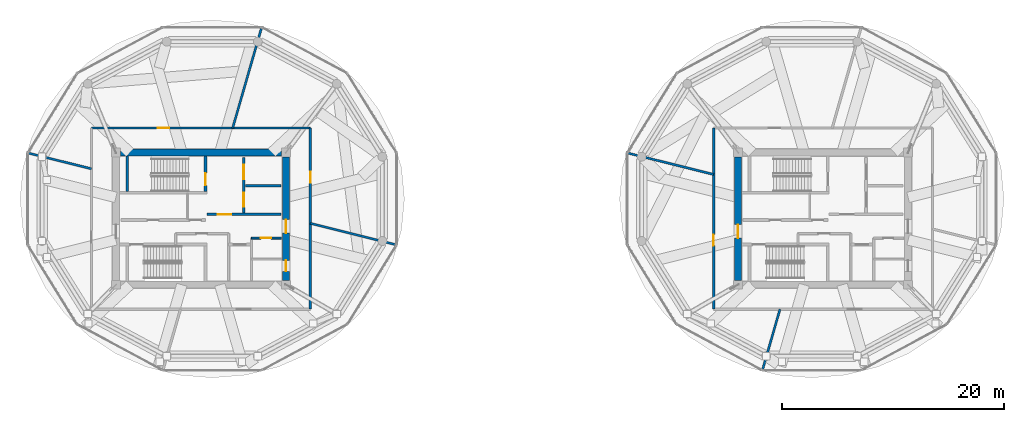
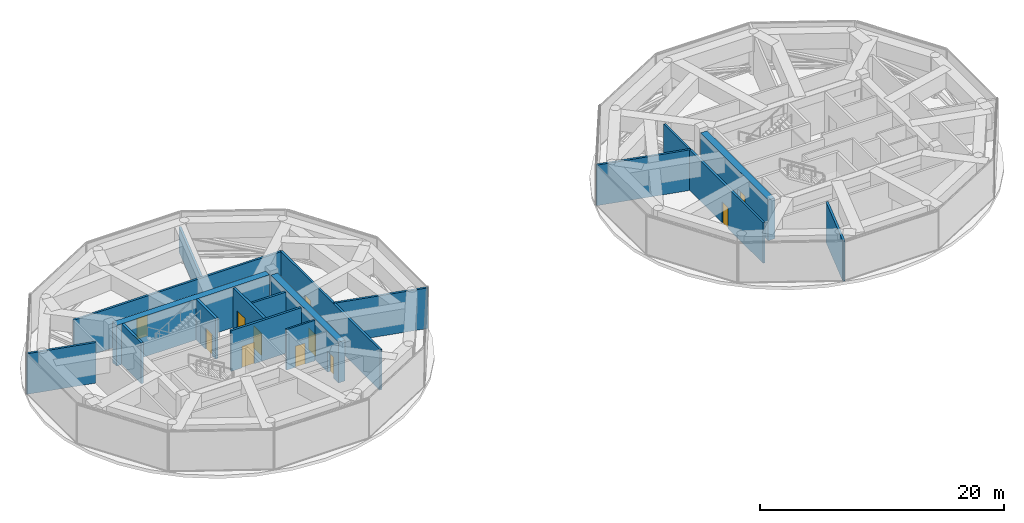
# One storey, part 14 of 20: 17 walls, 11 doors, 11 openings.
"""IFC4 building model written with IfcOpenShell, lengths in metres."""

from ifc_helpers import new_model, si_unit, direction, frame, frame_2d, origin, place, context, subcontext, project, spatial, rectangle, extrude, source, transform, mapped, material, layer, layer_set, type_object, type_shapes, element, fill, save


model = new_model("IFC4")

# Units and contexts
model_context = context("Model", 3, precision=1e-05, world=origin(), true_north=direction((0.0, 1.0)))
body_context = subcontext(model_context, "Body", "Model", "MODEL_VIEW")
ifc_project = project(units=[si_unit("LENGTHUNIT", "METRE"), si_unit("AREAUNIT", "SQUARE_METRE"), si_unit("VOLUMEUNIT", "CUBIC_METRE"), si_unit("PLANEANGLEUNIT", "RADIAN"), si_unit("MASSUNIT", "GRAM", prefix="KILO")], contexts=[model_context])

# Site, building, storey
site_placement = place(None, origin())
site = spatial("IfcSite", under=ifc_project, at=site_placement, CompositionType="ELEMENT")
building_placement = place(site_placement, origin())
building = spatial("IfcBuilding", under=site, at=building_placement, Name="Norrkilde Senior Care Towers", CompositionType="ELEMENT")
storey_placement = place(building_placement, frame((0.0, 0.0, 186.14990234375)))
storey = spatial("IfcBuildingStorey", under=building, at=storey_placement, Name="L58", CompositionType="ELEMENT", Elevation=186.14990234375)

# Wall
ifc_material_1 = material(Name="Concrete C50/60", Category="concrete")
ifc_layer_1 = layer(ifc_material_1, 0.6201171875)
ifc_layer_set_1 = layer_set([ifc_layer_1], Name="Concrete C50/60")
wall_type_1 = type_object("IfcWallType", Name="Core Shear Wall Z3 620", PredefinedType="SHEAR", material=ifc_layer_set_1)
shared_shape_1 = source(origin(), body_context, "Body", "SweptSolid", [
    extrude(rectangle(XDim=14.5, YDim=0.6201171875, at=frame_2d((7.25, 0.0))), origin(), (0.0, 0.0, 1.0), 4.080078125),
])
wall_1_placement = place(storey_placement, frame((-35.25, 5.949951171875, 0.0), z_axis=(0.0, 0.0, 1.0), x_axis=(1.0, 0.0, 0.0)))
element("IfcWall", 1, at=wall_1_placement, inside=storey, type_object=wall_type_1, Name="L58 Core W North Shear Wall", PredefinedType="SHEAR", context=body_context, shape_type="MappedRepresentation", body=[
    mapped(shared_shape_1, transform((0.0, 0.0, 0.0), x_axis=(1.0, 0.0, 0.0), y_axis=(0.0, 1.0, 0.0), z_axis=(0.0, 0.0, 1.0), scale=1.0)),
])

# Wall, openings, doors
shared_shape_2 = source(origin(), body_context, "Body", "SweptSolid", [
    extrude(rectangle(XDim=11.10009765625, YDim=0.6201171875, at=frame_2d((5.550048828125, 0.0))), origin(), (0.0, 0.0, 1.0), 4.080078125),
])
type_shapes(wall_type_1, [shared_shape_1, shared_shape_2])
wall_2_placement = place(storey_placement, frame((-20.35009765625, 5.550048828125, 0.0), z_axis=(0.0, 0.0, 1.0), x_axis=(0.0, -1.0, 0.0)))
wall_2 = element("IfcWall", 2, at=wall_2_placement, inside=storey, type_object=wall_type_1, Name="L58 Core W East Shear Wall", PredefinedType="SHEAR", context=body_context, shape_type="MappedRepresentation", body=[
    mapped(shared_shape_2, transform((0.0, 0.0, 0.0), x_axis=(1.0, 0.0, 0.0), y_axis=(0.0, 1.0, 0.0), z_axis=(0.0, 0.0, 1.0), scale=1.0)),
])
opening_1_placement = place(wall_2_placement, frame((5.64990234375, 0.0, 0.0)))
opening_1 = element("IfcOpeningElement", 3, at=opening_1_placement, cuts=wall_2, Name="Opening D-04", PredefinedType="OPENING", context=body_context, shape_type="SweptSolid", body=[
    extrude(rectangle(XDim=1.199951171875, YDim=2.14990234375, at=frame_2d((0.60009765625, 1.074951171875))), frame((0.0, 0.320068359375, 0.0), z_axis=(0.0, -1.0, 0.0), x_axis=(1.0, 0.0, 0.0)), (0.0, 0.0, 1.0), 0.64013671875),
])
opening_2_placement = place(wall_2_placement, frame((9.300048828125, 0.0, 0.0)))
opening_2 = element("IfcOpeningElement", 4, at=opening_2_placement, cuts=wall_2, Name="Opening D-10", PredefinedType="OPENING", context=body_context, shape_type="SweptSolid", body=[
    extrude(rectangle(XDim=1.0, YDim=2.10009765625, at=frame_2d((0.5, 1.050048828125))), frame((0.0, 0.320068359375, 0.0), z_axis=(0.0, -1.0, 0.0), x_axis=(1.0, 0.0, 0.0)), (0.0, 0.0, 1.0), 0.64013671875),
])
ifc_material_2 = material(Name="Galvanised Painted Steel", Category="steel")
door_type_1 = type_object("IfcDoorType", Name="Firefighting Lobby Fire Door 1200x2150", OperationType="NOTDEFINED", PredefinedType="DOOR", material=ifc_material_2)
shared_shape_3 = source(origin(), body_context, "Body", "SweptSolid", [
    extrude(rectangle(XDim=1.199951171875, YDim=2.14990234375, at=frame_2d((0.60009765625, 1.074951171875))), frame((0.0, 0.02490234375, 0.0), z_axis=(0.0, -1.0, 0.0), x_axis=(1.0, 0.0, 0.0)), (0.0, 0.0, 1.0), 0.050048828125),
])
type_shapes(door_type_1, [shared_shape_3])
door_1_placement = place(opening_1_placement, frame((1.199951171875, 0.0, 0.0), z_axis=(0.0, 0.0, 1.0), x_axis=(-1.0, 0.0, 0.0)))
door_1 = element("IfcDoor", 5, at=door_1_placement, inside=storey, type_object=door_type_1, Name="L58 Core W East Portal Door", OperationType="SINGLE_SWING_RIGHT", OverallHeight=2.14990234375, OverallWidth=1.199951171875, PredefinedType="DOOR", context=body_context, shape_type="MappedRepresentation", body=[
    mapped(shared_shape_3, transform((0.0, 0.0, 0.0), x_axis=(1.0, 0.0, 0.0), y_axis=(0.0, 1.0, 0.0), z_axis=(0.0, 0.0, 1.0), scale=1.0)),
])
fill(opening_1, door_1)
door_type_2 = type_object("IfcDoorType", Name="Plant and Riser Rated Door 1000x2100", OperationType="NOTDEFINED", PredefinedType="DOOR", material=ifc_material_2)
shared_shape_4 = source(origin(), body_context, "Body", "SweptSolid", [
    extrude(rectangle(XDim=1.0, YDim=2.10009765625, at=frame_2d((0.5, 1.050048828125))), frame((0.0, 0.02490234375, 0.0), z_axis=(0.0, -1.0, 0.0), x_axis=(1.0, 0.0, 0.0)), (0.0, 0.0, 1.0), 0.050048828125),
])
type_shapes(door_type_2, [shared_shape_4])
door_2_placement = place(opening_2_placement, frame((1.0, 0.0, 0.0), z_axis=(0.0, 0.0, 1.0), x_axis=(-1.0, 0.0, 0.0)))
door_2 = element("IfcDoor", 6, at=door_2_placement, inside=storey, type_object=door_type_2, Name="L58 Ventilation Riser W Door", OperationType="SINGLE_SWING_RIGHT", OverallHeight=2.10009765625, OverallWidth=1.0, PredefinedType="DOOR", context=body_context, shape_type="MappedRepresentation", body=[
    mapped(shared_shape_4, transform((0.0, 0.0, 0.0), x_axis=(1.0, 0.0, 0.0), y_axis=(0.0, 1.0, 0.0), z_axis=(0.0, 0.0, 1.0), scale=1.0)),
])
fill(opening_2, door_2)

# Wall, opening, door
wall_3_placement = place(storey_placement, frame((20.35009765625, -5.550048828125, 0.0), z_axis=(0.0, 0.0, 1.0), x_axis=(0.0, 1.0, 0.0)))
wall_3 = element("IfcWall", 7, at=wall_3_placement, inside=storey, type_object=wall_type_1, Name="L58 Core E West Shear Wall", PredefinedType="SHEAR", context=body_context, shape_type="MappedRepresentation", body=[
    mapped(shared_shape_2, transform((0.0, 0.0, 0.0), x_axis=(1.0, 0.0, 0.0), y_axis=(0.0, 1.0, 0.0), z_axis=(0.0, 0.0, 1.0), scale=1.0)),
])
opening_3_placement = place(wall_3_placement, frame((3.800048828125, 0.0, 0.0)))
opening_3 = element("IfcOpeningElement", 8, at=opening_3_placement, cuts=wall_3, Name="Opening D-04", PredefinedType="OPENING", context=body_context, shape_type="SweptSolid", body=[
    extrude(rectangle(XDim=1.199951171875, YDim=2.14990234375, at=frame_2d((0.60009765625, 1.074951171875))), frame((0.0, 0.320068359375, 0.0), z_axis=(0.0, -1.0, 0.0), x_axis=(1.0, 0.0, 0.0)), (0.0, 0.0, 1.0), 0.64013671875),
])
door_3_placement = place(opening_3_placement, frame((1.199951171875, 0.0, 0.0), z_axis=(0.0, 0.0, 1.0), x_axis=(-1.0, 0.0, 0.0)))
door_3 = element("IfcDoor", 9, at=door_3_placement, inside=storey, type_object=door_type_1, Name="L58 Core E West Portal Door", OperationType="SINGLE_SWING_LEFT", OverallHeight=2.14990234375, OverallWidth=1.199951171875, PredefinedType="DOOR", context=body_context, shape_type="MappedRepresentation", body=[
    mapped(shared_shape_3, transform((0.0, 0.0, 0.0), x_axis=(1.0, 0.0, 0.0), y_axis=(0.0, 1.0, 0.0), z_axis=(0.0, 0.0, 1.0), scale=1.0)),
])
fill(opening_3, door_3)

# Wall
ifc_material_3 = material(Name="Concrete C45/55", Category="concrete")
ifc_layer_2 = layer(ifc_material_3, 0.239990234375)
ifc_layer_set_2 = layer_set([ifc_layer_2], Name="Concrete C45/55")
wall_type_2 = type_object("IfcWallType", Name="Shaft and Stair Enclosure Wall 240", PredefinedType="PARTITIONING", material=ifc_layer_set_2)
shared_shape_5 = source(origin(), body_context, "Body", "SweptSolid", [
    extrude(rectangle(XDim=3.18994140625, YDim=0.239990234375, at=frame_2d((1.594970703125, 0.0))), origin(), (0.0, 0.0, 1.0), 4.080078125),
])
type_shapes(wall_type_2, [shared_shape_5])
wall_4_placement = place(storey_placement, frame((-34.6201171875, 2.449951171875, 0.0), z_axis=(0.0, 0.0, 1.0), x_axis=(0.0, 1.0, 0.0)))
element("IfcWall", 10, at=wall_4_placement, inside=storey, type_object=wall_type_2, Name="WL-INT-L58-W-ST1W", PredefinedType="PARTITIONING", context=body_context, shape_type="MappedRepresentation", body=[
    mapped(shared_shape_5, transform((0.0, 0.0, 0.0), x_axis=(1.0, 0.0, 0.0), y_axis=(0.0, 1.0, 0.0), z_axis=(0.0, 0.0, 1.0), scale=1.0)),
])

# Wall, opening, door
wall_5_placement = place(storey_placement, frame((-27.580078125, 2.449951171875, 0.0), z_axis=(0.0, 0.0, 1.0), x_axis=(0.0, 1.0, 0.0)))
wall_5 = element("IfcWall", 11, at=wall_5_placement, inside=storey, type_object=wall_type_2, Name="WL-INT-L58-W-ST1E", PredefinedType="PARTITIONING", context=body_context, shape_type="MappedRepresentation", body=[
    mapped(shared_shape_5, transform((0.0, 0.0, 0.0), x_axis=(1.0, 0.0, 0.0), y_axis=(0.0, 1.0, 0.0), z_axis=(0.0, 0.0, 1.0), scale=1.0)),
])
opening_4_placement = place(wall_5_placement, frame((0.550048828125, 0.0, 0.0)))
opening_4 = element("IfcOpeningElement", 12, at=opening_4_placement, cuts=wall_5, Name="Opening D-03", PredefinedType="OPENING", context=body_context, shape_type="SweptSolid", body=[
    extrude(rectangle(XDim=1.10009765625, YDim=2.14990234375, at=frame_2d((0.550048828125, 1.074951171875))), frame((0.0, 0.1298828125, 0.0), z_axis=(0.0, -1.0, 0.0), x_axis=(1.0, 0.0, 0.0)), (0.0, 0.0, 1.0), 0.260009765625),
])
door_type_3 = type_object("IfcDoorType", Name="Stairwell Protected Fire Door 1100x2150", OperationType="NOTDEFINED", PredefinedType="DOOR", material=ifc_material_2)
shared_shape_6 = source(origin(), body_context, "Body", "SweptSolid", [
    extrude(rectangle(XDim=1.10009765625, YDim=2.14990234375, at=frame_2d((0.550048828125, 1.074951171875))), frame((0.0, 0.02490234375, 0.0), z_axis=(0.0, -1.0, 0.0), x_axis=(1.0, 0.0, 0.0)), (0.0, 0.0, 1.0), 0.050048828125),
])
type_shapes(door_type_3, [shared_shape_6])
door_4_placement = place(opening_4_placement, origin())
door_4 = element("IfcDoor", 13, at=door_4_placement, inside=storey, type_object=door_type_3, Name="L58 Stair W1 Fire Door", OperationType="SINGLE_SWING_LEFT", OverallHeight=2.14990234375, OverallWidth=1.10009765625, PredefinedType="DOOR", context=body_context, shape_type="MappedRepresentation", body=[
    mapped(shared_shape_6, transform((0.0, 0.0, 0.0), x_axis=(1.0, 0.0, 0.0), y_axis=(0.0, 1.0, 0.0), z_axis=(0.0, 0.0, 1.0), scale=1.0)),
])
fill(opening_4, door_4)

# Wall, openings, doors
ifc_layer_3 = layer(ifc_material_3, 0.239990234375)
ifc_layer_set_3 = layer_set([ifc_layer_3], Name="Concrete C45/55")
wall_type_3 = type_object("IfcWallType", Name="Lift and Plant Rated Enclosure Partition 240", PredefinedType="PARTITIONING", material=ifc_layer_set_3)
shared_shape_7 = source(origin(), body_context, "Body", "SweptSolid", [
    extrude(rectangle(XDim=5.0, YDim=0.239990234375, at=frame_2d((2.5, 0.0))), origin(), (0.0, 0.0, 1.0), 4.065185546875),
])
type_shapes(wall_type_3, [shared_shape_7])
wall_6_placement = place(storey_placement, frame((-24.139892578125, 0.5, 0.0), z_axis=(0.0, 0.0, 1.0), x_axis=(0.0, 1.0, 0.0)))
wall_6 = element("IfcWall", 14, at=wall_6_placement, inside=storey, type_object=wall_type_3, Name="WL-INT-L58-W-FFLE", PredefinedType="PARTITIONING", context=body_context, shape_type="MappedRepresentation", body=[
    mapped(shared_shape_7, transform((0.0, 0.0, 0.0), x_axis=(1.0, 0.0, 0.0), y_axis=(0.0, 1.0, 0.0), z_axis=(0.0, 0.0, 1.0), scale=1.0)),
])
opening_5_placement = place(wall_6_placement, frame((3.050048828125, 0.0, 0.0)))
opening_5 = element("IfcOpeningElement", 15, at=opening_5_placement, cuts=wall_6, Name="Opening LD-02", PredefinedType="OPENING", context=body_context, shape_type="SweptSolid", body=[
    extrude(rectangle(XDim=1.300048828125, YDim=2.199951171875, at=frame_2d((0.64990234375, 1.10009765625))), frame((0.0, 0.1298828125, 0.0), z_axis=(0.0, -1.0, 0.0), x_axis=(1.0, 0.0, 0.0)), (0.0, 0.0, 1.0), 0.260009765625),
])
opening_6_placement = place(wall_6_placement, frame((0.550048828125, 0.0, 0.0)))
opening_6 = element("IfcOpeningElement", 16, at=opening_6_placement, cuts=wall_6, Name="Opening LD-02", PredefinedType="OPENING", context=body_context, shape_type="SweptSolid", body=[
    extrude(rectangle(XDim=1.300048828125, YDim=2.199951171875, at=frame_2d((0.64990234375, 1.10009765625))), frame((0.0, 0.1298828125, 0.0), z_axis=(0.0, -1.0, 0.0), x_axis=(1.0, 0.0, 0.0)), (0.0, 0.0, 1.0), 0.260009765625),
])
ifc_material_4 = material(Name="Stainless Steel", Category="steel")
door_type_4 = type_object("IfcDoorType", Name="Stretcher and FFL Landing Sliding Door 1300x2200", OperationType="NOTDEFINED", PredefinedType="DOOR", material=ifc_material_4)
shared_shape_8 = source(origin(), body_context, "Body", "SweptSolid", [
    extrude(rectangle(XDim=1.300048828125, YDim=2.199951171875, at=frame_2d((0.64990234375, 1.10009765625))), frame((0.0, 0.02490234375, 0.0), z_axis=(0.0, -1.0, 0.0), x_axis=(1.0, 0.0, 0.0)), (0.0, 0.0, 1.0), 0.050048828125),
])
type_shapes(door_type_4, [shared_shape_8])
door_5_placement = place(opening_5_placement, origin())
door_5 = element("IfcDoor", 17, at=door_5_placement, inside=storey, type_object=door_type_4, Name="L58 Firefighting Lift W1 Landing Door", OperationType="SLIDING_TO_LEFT", OverallHeight=2.199951171875, OverallWidth=1.300048828125, PredefinedType="DOOR", context=body_context, shape_type="MappedRepresentation", body=[
    mapped(shared_shape_8, transform((0.0, 0.0, 0.0), x_axis=(1.0, 0.0, 0.0), y_axis=(0.0, 1.0, 0.0), z_axis=(0.0, 0.0, 1.0), scale=1.0)),
])
fill(opening_5, door_5)
door_6_placement = place(opening_6_placement, origin())
door_6 = element("IfcDoor", 18, at=door_6_placement, inside=storey, type_object=door_type_4, Name="L58 Stretcher Lift W1 Landing Door", OperationType="SLIDING_TO_RIGHT", OverallHeight=2.199951171875, OverallWidth=1.300048828125, PredefinedType="DOOR", context=body_context, shape_type="MappedRepresentation", body=[
    mapped(shared_shape_8, transform((0.0, 0.0, 0.0), x_axis=(1.0, 0.0, 0.0), y_axis=(0.0, 1.0, 0.0), z_axis=(0.0, 0.0, 1.0), scale=1.0)),
])
fill(opening_6, door_6)

# Wall
ifc_layer_4 = layer(ifc_material_3, 0.199951171875)
ifc_layer_set_4 = layer_set([ifc_layer_4], Name="Concrete C45/55")
wall_type_4 = type_object("IfcWallType", Name="Shaft Division and Plant Partition 200", PredefinedType="PARTITIONING", material=ifc_layer_set_4)
shared_shape_9 = source(origin(), body_context, "Body", "SweptSolid", [
    extrude(rectangle(XDim=3.199951171875, YDim=0.199951171875, at=frame_2d((1.60009765625, 0.0))), origin(), (0.0, 0.0, 1.0), 4.065185546875),
])
wall_7_placement = place(storey_placement, frame((-24.0, 2.949951171875, 0.0), z_axis=(0.0, 0.0, 1.0), x_axis=(1.0, 0.0, 0.0)))
element("IfcWall", 19, at=wall_7_placement, inside=storey, type_object=wall_type_4, Name="WL-INT-L58-W-FFLDIV", PredefinedType="PARTITIONING", context=body_context, shape_type="MappedRepresentation", body=[
    mapped(shared_shape_9, transform((0.0, 0.0, 0.0), x_axis=(1.0, 0.0, 0.0), y_axis=(0.0, 1.0, 0.0), z_axis=(0.0, 0.0, 1.0), scale=1.0)),
])

# Wall, opening, door
ifc_layer_5 = layer(ifc_material_3, 0.2099609375)
ifc_layer_set_5 = layer_set([ifc_layer_5], Name="Concrete C45/55")
wall_type_5 = type_object("IfcWallType", Name="Firefighting Lobby Wall 210", PredefinedType="PARTITIONING", material=ifc_layer_set_5)
shared_shape_10 = source(origin(), body_context, "Body", "SweptSolid", [
    extrude(rectangle(XDim=6.659912109375, YDim=0.2099609375, at=frame_2d((3.330078125, 0.0))), origin(), (0.0, 0.0, 1.0), 4.065185546875),
])
type_shapes(wall_type_5, [shared_shape_10])
wall_8_placement = place(storey_placement, frame((-27.4599609375, 0.389892578125, 0.0), z_axis=(0.0, 0.0, 1.0), x_axis=(1.0, 0.0, 0.0)))
wall_8 = element("IfcWall", 20, at=wall_8_placement, inside=storey, type_object=wall_type_5, Name="WL-INT-L58-W-FFLS", PredefinedType="PARTITIONING", context=body_context, shape_type="MappedRepresentation", body=[
    mapped(shared_shape_10, transform((0.0, 0.0, 0.0), x_axis=(1.0, 0.0, 0.0), y_axis=(0.0, 1.0, 0.0), z_axis=(0.0, 0.0, 1.0), scale=1.0)),
])
opening_7_placement = place(wall_8_placement, frame((1.0, 0.0, 0.0)))
opening_7 = element("IfcOpeningElement", 21, at=opening_7_placement, cuts=wall_8, Name="Opening D-04", PredefinedType="OPENING", context=body_context, shape_type="SweptSolid", body=[
    extrude(rectangle(XDim=1.199951171875, YDim=2.14990234375, at=frame_2d((0.60009765625, 1.074951171875))), frame((0.0, 0.114990234375, 0.0), z_axis=(0.0, -1.0, 0.0), x_axis=(1.0, 0.0, 0.0)), (0.0, 0.0, 1.0), 0.22998046875),
])
door_7_placement = place(opening_7_placement, frame((1.199951171875, 0.0, 0.0), z_axis=(0.0, 0.0, 1.0), x_axis=(-1.0, 0.0, 0.0)))
door_7 = element("IfcDoor", 22, at=door_7_placement, inside=storey, type_object=door_type_1, Name="L58 Firefighting Lobby W Door", OperationType="SINGLE_SWING_LEFT", OverallHeight=2.14990234375, OverallWidth=1.199951171875, PredefinedType="DOOR", context=body_context, shape_type="MappedRepresentation", body=[
    mapped(shared_shape_3, transform((0.0, 0.0, 0.0), x_axis=(1.0, 0.0, 0.0), y_axis=(0.0, 1.0, 0.0), z_axis=(0.0, 0.0, 1.0), scale=1.0)),
])
fill(opening_7, door_7)

ifc_material_5 = material(Name="Gypsum Acoustic Board")
ifc_layer_6 = layer(ifc_material_5, 0.1650390625)
ifc_layer_set_6 = layer_set([ifc_layer_6], Name="Gypsum Acoustic Board")
wall_type_6 = type_object("IfcWallType", Name="Corridor Rated Partition 165", PredefinedType="PARTITIONING", material=ifc_layer_set_6)
shared_shape_11 = source(origin(), body_context, "Body", "SweptSolid", [
    extrude(rectangle(XDim=2.699951171875, YDim=0.1650390625, at=frame_2d((1.35009765625, 0.0))), origin(), (0.0, 0.0, 1.0), 4.065185546875),
])
type_shapes(wall_type_6, [shared_shape_11])
wall_9_placement = place(storey_placement, frame((-23.449951171875, -1.75, 0.0), z_axis=(0.0, 0.0, 1.0), x_axis=(1.0, 0.0, 0.0)))
wall_9 = element("IfcWall", 23, at=wall_9_placement, inside=storey, type_object=wall_type_6, Name="WL-INT-L58-W-CSN", PredefinedType="PARTITIONING", context=body_context, shape_type="MappedRepresentation", body=[
    mapped(shared_shape_11, transform((0.0, 0.0, 0.0), x_axis=(1.0, 0.0, 0.0), y_axis=(0.0, 1.0, 0.0), z_axis=(0.0, 0.0, 1.0), scale=1.0)),
])
opening_8_placement = place(wall_9_placement, frame((0.85009765625, 0.0, 0.0)))
opening_8 = element("IfcOpeningElement", 24, at=opening_8_placement, cuts=wall_9, Name="Opening D-12", PredefinedType="OPENING", context=body_context, shape_type="SweptSolid", body=[
    extrude(rectangle(XDim=0.925048828125, YDim=2.10009765625, at=frame_2d((0.46240234375, 1.050048828125))), frame((0.0, 0.092529296875, 0.0), z_axis=(0.0, -1.0, 0.0), x_axis=(1.0, 0.0, 0.0)), (0.0, 0.0, 1.0), 0.18505859375),
])
door_type_5 = type_object("IfcDoorType", Name="Core Wet Room Rated Door 925x2100", OperationType="NOTDEFINED", PredefinedType="DOOR", material=ifc_material_2)
shared_shape_12 = source(origin(), body_context, "Body", "SweptSolid", [
    extrude(rectangle(XDim=0.925048828125, YDim=2.10009765625, at=frame_2d((0.46240234375, 1.050048828125))), frame((0.0, 0.02490234375, 0.0), z_axis=(0.0, -1.0, 0.0), x_axis=(1.0, 0.0, 0.0)), (0.0, 0.0, 1.0), 0.050048828125),
])
type_shapes(door_type_5, [shared_shape_12])
door_8_placement = place(opening_8_placement, origin())
door_8 = element("IfcDoor", 25, at=door_8_placement, inside=storey, type_object=door_type_5, Name="L58 Staff WC W Door", OperationType="SINGLE_SWING_LEFT", OverallHeight=2.10009765625, OverallWidth=0.925048828125, PredefinedType="DOOR", context=body_context, shape_type="MappedRepresentation", body=[
    mapped(shared_shape_12, transform((0.0, 0.0, 0.0), x_axis=(1.0, 0.0, 0.0), y_axis=(0.0, 1.0, 0.0), z_axis=(0.0, 0.0, 1.0), scale=1.0)),
])
fill(opening_8, door_8)

shared_shape_13 = source(origin(), body_context, "Body", "SweptSolid", [
    extrude(rectangle(XDim=19.7001953125, YDim=0.199951171875, at=frame_2d((9.85009765625, 0.0))), origin(), (0.0, 0.0, 1.0), 4.065185546875),
])
wall_10_placement = place(storey_placement, frame((-37.85009765625, 8.14990234375, 0.0), z_axis=(0.0, 0.0, 1.0), x_axis=(1.0, 0.0, 0.0)))
wall_10 = element("IfcWall", 26, at=wall_10_placement, inside=storey, type_object=wall_type_4, Name="WL-INT-L58-W-PCR-N", PredefinedType="PARTITIONING", context=body_context, shape_type="MappedRepresentation", body=[
    mapped(shared_shape_13, transform((0.0, 0.0, 0.0), x_axis=(1.0, 0.0, 0.0), y_axis=(0.0, 1.0, 0.0), z_axis=(0.0, 0.0, 1.0), scale=1.0)),
])
opening_9_placement = place(wall_10_placement, frame((5.9931640625, 0.0, 0.0)))
opening_9 = element("IfcOpeningElement", 27, at=opening_9_placement, cuts=wall_10, Name="Opening D-10", PredefinedType="OPENING", context=body_context, shape_type="SweptSolid", body=[
    extrude(rectangle(XDim=1.0, YDim=2.10009765625, at=frame_2d((0.5, 1.050048828125))), frame((0.0, 0.10986328125, 0.0), z_axis=(0.0, -1.0, 0.0), x_axis=(1.0, 0.0, 0.0)), (0.0, 0.0, 1.0), 0.219970703125),
])
door_9_placement = place(opening_9_placement, frame((1.0, 0.0, 0.0), z_axis=(0.0, 0.0, 1.0), x_axis=(-1.0, 0.0, 0.0)))
door_9 = element("IfcDoor", 28, at=door_9_placement, inside=storey, type_object=door_type_2, Name="L58 Dedicated Outdoor Air Handling Unit Room Door", OperationType="SINGLE_SWING_LEFT", OverallHeight=2.10009765625, OverallWidth=1.0, PredefinedType="DOOR", context=body_context, shape_type="MappedRepresentation", body=[
    mapped(shared_shape_4, transform((0.0, 0.0, 0.0), x_axis=(1.0, 0.0, 0.0), y_axis=(0.0, 1.0, 0.0), z_axis=(0.0, 0.0, 1.0), scale=1.0)),
])
fill(opening_9, door_9)

shared_shape_14 = source(origin(), body_context, "Body", "SweptSolid", [
    extrude(rectangle(XDim=16.2998046875, YDim=0.199951171875, at=frame_2d((8.14990234375, 0.0))), origin(), (0.0, 0.0, 1.0), 4.065185546875),
])
wall_11_placement = place(storey_placement, frame((-18.14990234375, 8.14990234375, 0.0), z_axis=(0.0, 0.0, 1.0), x_axis=(0.0, -1.0, 0.0)))
wall_11 = element("IfcWall", 29, at=wall_11_placement, inside=storey, type_object=wall_type_4, Name="WL-INT-L58-W-PCR-E", PredefinedType="PARTITIONING", context=body_context, shape_type="MappedRepresentation", body=[
    mapped(shared_shape_14, transform((0.0, 0.0, 0.0), x_axis=(1.0, 0.0, 0.0), y_axis=(0.0, 1.0, 0.0), z_axis=(0.0, 0.0, 1.0), scale=1.0)),
])
opening_10_placement = place(wall_11_placement, frame((3.939453125, 0.0, 0.0)))
opening_10 = element("IfcOpeningElement", 30, at=opening_10_placement, cuts=wall_11, Name="Opening D-10", PredefinedType="OPENING", context=body_context, shape_type="SweptSolid", body=[
    extrude(rectangle(XDim=1.0, YDim=2.10009765625, at=frame_2d((0.5, 1.050048828125))), frame((0.0, 0.10986328125, 0.0), z_axis=(0.0, -1.0, 0.0), x_axis=(1.0, 0.0, 0.0)), (0.0, 0.0, 1.0), 0.219970703125),
])
door_10_placement = place(opening_10_placement, frame((1.0, 0.0, 0.0), z_axis=(0.0, 0.0, 1.0), x_axis=(-1.0, 0.0, 0.0)))
door_10 = element("IfcDoor", 31, at=door_10_placement, inside=storey, type_object=door_type_2, Name="L58 Chiller and Heat-Recovery Cooling Plant Door", OperationType="SINGLE_SWING_RIGHT", OverallHeight=2.10009765625, OverallWidth=1.0, PredefinedType="DOOR", context=body_context, shape_type="MappedRepresentation", body=[
    mapped(shared_shape_4, transform((0.0, 0.0, 0.0), x_axis=(1.0, 0.0, 0.0), y_axis=(0.0, 1.0, 0.0), z_axis=(0.0, 0.0, 1.0), scale=1.0)),
])
fill(opening_10, door_10)

wall_12_placement = place(storey_placement, frame((18.14990234375, -8.14990234375, 0.0), z_axis=(0.0, 0.0, 1.0), x_axis=(0.0, 1.0, 0.0)))
wall_12 = element("IfcWall", 32, at=wall_12_placement, inside=storey, type_object=wall_type_4, Name="WL-INT-L58-E-PCR-W", PredefinedType="PARTITIONING", context=body_context, shape_type="MappedRepresentation", body=[
    mapped(shared_shape_14, transform((0.0, 0.0, 0.0), x_axis=(1.0, 0.0, 0.0), y_axis=(0.0, 1.0, 0.0), z_axis=(0.0, 0.0, 1.0), scale=1.0)),
])
opening_11_placement = place(wall_12_placement, frame((5.714599609375, 0.0, 0.0)))
opening_11 = element("IfcOpeningElement", 33, at=opening_11_placement, cuts=wall_12, Name="Opening D-10", PredefinedType="OPENING", context=body_context, shape_type="SweptSolid", body=[
    extrude(rectangle(XDim=1.0, YDim=2.10009765625, at=frame_2d((0.5, 1.050048828125))), frame((0.0, 0.10986328125, 0.0), z_axis=(0.0, -1.0, 0.0), x_axis=(1.0, 0.0, 0.0)), (0.0, 0.0, 1.0), 0.219970703125),
])
door_11_placement = place(opening_11_placement, frame((1.0, 0.0, 0.0), z_axis=(0.0, 0.0, 1.0), x_axis=(-1.0, 0.0, 0.0)))
door_11 = element("IfcDoor", 34, at=door_11_placement, inside=storey, type_object=door_type_2, Name="L58 HV Switchroom and Fire Booster Pump Plant Door", OperationType="SINGLE_SWING_RIGHT", OverallHeight=2.10009765625, OverallWidth=1.0, PredefinedType="DOOR", context=body_context, shape_type="MappedRepresentation", body=[
    mapped(shared_shape_4, transform((0.0, 0.0, 0.0), x_axis=(1.0, 0.0, 0.0), y_axis=(0.0, 1.0, 0.0), z_axis=(0.0, 0.0, 1.0), scale=1.0)),
])
fill(opening_11, door_11)

# Walls
shared_shape_15 = source(origin(), body_context, "Body", "SweptSolid", [
    extrude(rectangle(XDim=8.027099609375, YDim=0.199951171875, at=frame_2d((4.013671875, 0.0))), origin(), (0.0, 0.0, 1.0), 4.065185546875),
])
for number, where, z_axis, x_axis, name in (
    (35, (-18.14990234375, -0.42431640625, 0.0), (0.0, 0.0, 1.0), (0.970312225041, -0.241855713053, 0.0), "WL-INT-L58-W-PRAD-1-0"),
    (36, (18.14990234375, 3.97509765625, 0.0), (0.0, 0.0, 1.0), (-0.970312225041, 0.241855713053, 0.0), "WL-INT-L58-E-PRAD-3-0"),
):
    element("IfcWall", number, at=place(storey_placement, frame(where, z_axis=z_axis, x_axis=x_axis)), inside=storey, type_object=wall_type_4, Name=name, PredefinedType="PARTITIONING", context=body_context, shape_type="MappedRepresentation", body=[
        mapped(shared_shape_15, transform((0.0, 0.0, 0.0), x_axis=(1.0, 0.0, 0.0), y_axis=(0.0, 1.0, 0.0), z_axis=(0.0, 0.0, 1.0), scale=1.0)),
    ])
shared_shape_16 = source(origin(), body_context, "Body", "SweptSolid", [
    extrude(rectangle(XDim=9.449462890625, YDim=0.199951171875, at=frame_2d((4.724609375, 0.0))), origin(), (0.0, 0.0, 1.0), 2.51513671875),
])
wall_13_placement = place(storey_placement, frame((-25.138916015625, 8.14990234375, 0.0), z_axis=(0.0, 0.0, 1.0), x_axis=(0.276808823174, 0.960925010296, 0.0)))
element("IfcWall", 37, at=wall_13_placement, inside=storey, type_object=wall_type_4, Name="WL-INT-L58-W-PRAD-2-0", PredefinedType="PARTITIONING", context=body_context, shape_type="MappedRepresentation", body=[
    mapped(shared_shape_16, transform((0.0, 0.0, 0.0), x_axis=(1.0, 0.0, 0.0), y_axis=(0.0, 1.0, 0.0), z_axis=(0.0, 0.0, 1.0), scale=1.0)),
])
shared_shape_17 = source(origin(), body_context, "Body", "SweptSolid", [
    extrude(rectangle(XDim=5.914306640625, YDim=0.199951171875, at=frame_2d((2.95703125, 0.0))), origin(), (0.0, 0.0, 1.0), 4.065185546875),
])
wall_14_placement = place(storey_placement, frame((-37.85009765625, 4.486083984375, 0.0), z_axis=(0.0, 0.0, 1.0), x_axis=(-0.970312235668, 0.241855670415, 0.0)))
element("IfcWall", 38, at=wall_14_placement, inside=storey, type_object=wall_type_4, Name="WL-INT-L58-W-PRAD-3-0", PredefinedType="PARTITIONING", context=body_context, shape_type="MappedRepresentation", body=[
    mapped(shared_shape_17, transform((0.0, 0.0, 0.0), x_axis=(1.0, 0.0, 0.0), y_axis=(0.0, 1.0, 0.0), z_axis=(0.0, 0.0, 1.0), scale=1.0)),
])
shared_shape_18 = source(origin(), body_context, "Body", "SweptSolid", [
    extrude(rectangle(XDim=5.75439453125, YDim=0.199951171875, at=frame_2d((2.877197265625, 0.0))), origin(), (0.0, 0.0, 1.0), 4.065185546875),
])
type_shapes(wall_type_4, [shared_shape_9, shared_shape_13, shared_shape_14, shared_shape_15, shared_shape_16, shared_shape_17, shared_shape_18])
wall_15_placement = place(storey_placement, frame((24.115966796875, -8.14990234375, 0.0), z_axis=(0.0, 0.0, 1.0), x_axis=(-0.276793809121, -0.960929335192, 0.0)))
element("IfcWall", 39, at=wall_15_placement, inside=storey, type_object=wall_type_4, Name="WL-INT-L58-E-PRAD-0-0", PredefinedType="PARTITIONING", context=body_context, shape_type="MappedRepresentation", body=[
    mapped(shared_shape_18, transform((0.0, 0.0, 0.0), x_axis=(1.0, 0.0, 0.0), y_axis=(0.0, 1.0, 0.0), z_axis=(0.0, 0.0, 1.0), scale=1.0)),
])

save(model, "model.ifc")
